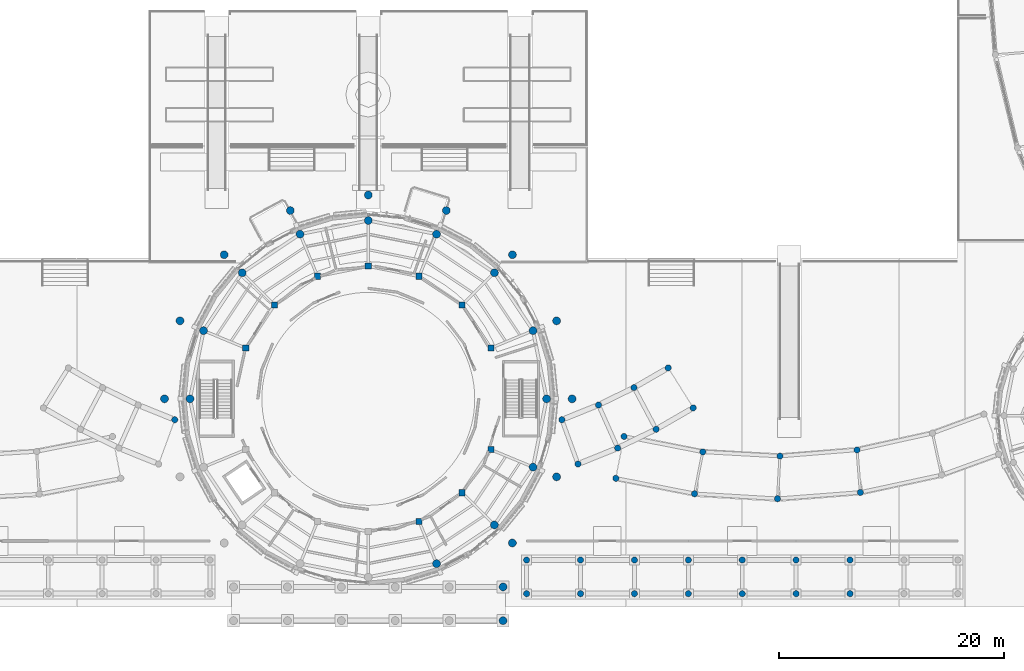
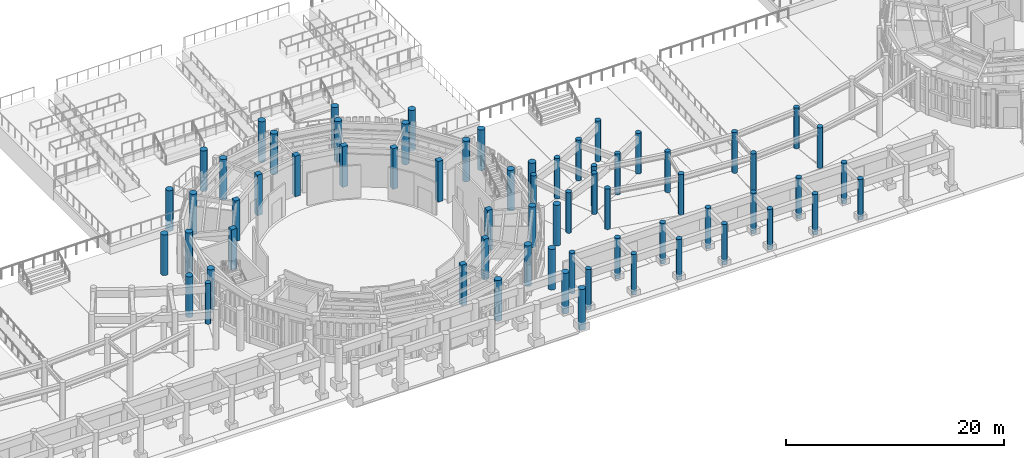
# One storey, part 2 of 94: 66 columns.
"""IFC4 building model written with IfcOpenShell, lengths in metres."""

from ifc_helpers import new_model, si_unit, direction, frame, origin, origin_2d, place, context, subcontext, project, spatial, rectangle, circle, extrude, material, material_profile, profile_set, type_object, element, save


model = new_model("IFC4")

# Units and contexts
model_context = context("Model", 3, precision=1e-05, world=origin(), true_north=direction((0.0, 1.0)))
body_context = subcontext(model_context, "Body", "Model", "MODEL_VIEW")
ifc_project = project(units=[si_unit("LENGTHUNIT", "METRE"), si_unit("AREAUNIT", "SQUARE_METRE"), si_unit("VOLUMEUNIT", "CUBIC_METRE"), si_unit("PLANEANGLEUNIT", "RADIAN"), si_unit("MASSUNIT", "GRAM", prefix="KILO")], contexts=[model_context])

# Site, building, storey
site_placement = place(None, origin())
site = spatial("IfcSite", under=ifc_project, at=site_placement, CompositionType="ELEMENT")
building_placement = place(site_placement, origin())
building = spatial("IfcBuilding", under=site, at=building_placement, Name="Aldenvaro Health Centre", CompositionType="ELEMENT")
storey_placement = place(building_placement, origin())
storey = spatial("IfcBuildingStorey", under=building, at=storey_placement, Name="L00", CompositionType="ELEMENT", Elevation=0.0)

# Columns
ifc_material = material(Name="Concrete f'c 40 MPa", Category="concrete")
ifc_material_profile_1 = material_profile(ifc_material, rectangle(XDim=0.550048828125, YDim=0.550048828125, at=origin_2d()), Name="RC 550x550", Category="concrete")
ifc_profile_set_1 = profile_set([ifc_material_profile_1], Name="Concrete f'c 40 MPa")
column_type_1 = type_object("IfcColumnType", Name="COL-RC-550", PredefinedType="COLUMN", material=ifc_profile_set_1)
for number, where, z_axis, x_axis, name in (
    (1, (97.919921875, 24.52294921875, 0.0), (0.0, 0.0, 1.0), (1.0, 0.0, 0.0), "D1 L00 column IN-01"),
    (2, (95.35791015625, 28.35791015625, 0.0), (0.0, 0.0, 1.0), (1.0, 0.0, 0.0), "D1 L00 column IN-02"),
    (3, (91.52294921875, 30.919921875, 0.0), (0.0, 0.0, 1.0), (1.0, 0.0, 0.0), "D1 L00 column IN-03"),
    (4, (87.0, 31.820068359375, 0.0), (0.0, 0.0, 1.0), (1.0, 0.0, 0.0), "D1 L00 column IN-04"),
    (5, (82.47705078125, 30.919921875, 0.0), (0.0, 0.0, 1.0), (1.0, 0.0, 0.0), "D1 L00 column IN-05"),
    (6, (78.64208984375, 28.35791015625, 0.0), (0.0, 0.0, 1.0), (1.0, 0.0, 0.0), "D1 L00 column IN-06"),
    (7, (76.080078125, 24.52294921875, 0.0), (0.0, 0.0, 1.0), (1.0, 0.0, 0.0), "D1 L00 column IN-07"),
    (8, (91.52294921875, 9.080078125, 0.0), (0.0, 0.0, 1.0), (1.0, 0.0, 0.0), "D1 L00 column IN-12"),
    (9, (95.35791015625, 11.64208984375, 0.0), (0.0, 0.0, 1.0), (1.0, 0.0, 0.0), "D1 L00 column IN-13"),
    (10, (97.919921875, 15.47705078125, 0.0), (0.0, 0.0, 1.0), (1.0, 0.0, 0.0), "D1 L00 column IN-14"),
):
    element("IfcColumn", number, at=place(storey_placement, frame(where, z_axis=z_axis, x_axis=x_axis)), inside=storey, type_object=column_type_1, Name=name, PredefinedType="COLUMN", context=body_context, shape_type="SweptSolid", body=[
        extrude(rectangle(XDim=0.550048828125, YDim=0.550048828125, at=origin_2d()), origin(), (0.0, 0.0, 1.0), 4.550048828125),
    ])
ifc_material_profile_2 = material_profile(ifc_material, circle(Radius=0.27490234375, at=origin_2d()), Name="RC D550", Category="concrete")
ifc_profile_set_2 = profile_set([ifc_material_profile_2], Name="Concrete f'c 40 MPa")
column_type_2 = type_object("IfcColumnType", Name="COL-RC-D550", PredefinedType="PILASTER", material=ifc_profile_set_2)
for number, where, z_axis, x_axis, name in (
    (11, (69.761962890625, 18.138916015625, 0.0), (0.0, 0.0, 1.0), (1.0, 0.0, 0.0), "Neoclassical Colonnade Column 4.1"),
    (12, (104.238037109375, 18.138916015625, 0.0), (0.0, 0.0, 1.0), (1.0, 0.0, 0.0), "Neoclassical Colonnade Column 14.1"),
    (13, (105.674072265625, 14.193115234375, 0.0), (0.0, 0.0, 1.0), (1.0, 0.0, 0.0), "Neoclassical Colonnade Column 14.2"),
    (14, (107.5, 19.45703125, 0.0), (0.0, 0.0, 1.0), (1.0, 0.0, 0.0), "Neoclassical Colonnade Column 15.1"),
    (15, (109.2080078125, 15.6201171875, 0.0), (0.0, 0.0, 1.0), (1.0, 0.0, 0.0), "Neoclassical Colonnade Column 15.2"),
    (16, (110.660888671875, 20.9990234375, 0.0), (0.0, 0.0, 1.0), (1.0, 0.0, 0.0), "Neoclassical Colonnade Column 16.1"),
    (17, (112.633056640625, 17.291015625, 0.0), (0.0, 0.0, 1.0), (1.0, 0.0, 0.0), "Neoclassical Colonnade Column 16.2"),
    (18, (113.7080078125, 22.758056640625, 0.0), (0.0, 0.0, 1.0), (1.0, 0.0, 0.0), "Neoclassical Colonnade Column 17.1"),
    (19, (115.93408203125, 19.197021484375, 0.0), (0.0, 0.0, 1.0), (1.0, 0.0, 0.0), "Neoclassical Colonnade Column 17.2"),
    (20, (109.778076171875, 16.653076171875, 0.0), (0.0, 0.0, 1.0), (1.0, 0.0, 0.0), "South East Curved Peristyle Walkway Arc 1 L00 column 1.1"),
    (21, (109.0458984375, 12.925048828125, 0.0), (0.0, 0.0, 1.0), (1.0, 0.0, 0.0), "South East Curved Peristyle Walkway Arc 1 L00 column 1.2"),
    (22, (116.785888671875, 15.278076171875, 0.0), (0.0, 0.0, 1.0), (1.0, 0.0, 0.0), "South East Curved Peristyle Walkway Arc 1 L00 column 2.1"),
    (23, (116.053955078125, 11.550048828125, 0.0), (0.0, 0.0, 1.0), (1.0, 0.0, 0.0), "South East Curved Peristyle Walkway Arc 1 L00 column 2.2"),
    (24, (123.658935546875, 14.89990234375, 0.0), (0.0, 0.0, 1.0), (1.0, 0.0, 0.0), "South East Curved Peristyle Walkway Arc 2 L00 column 2.1"),
    (25, (123.44091796875, 11.10595703125, 0.0), (0.0, 0.0, 1.0), (1.0, 0.0, 0.0), "South East Curved Peristyle Walkway Arc 2 L00 column 2.2"),
    (26, (130.52001953125, 15.45703125, 0.0), (0.0, 0.0, 1.0), (1.0, 0.0, 0.0), "South East Curved Peristyle Walkway Arc 3 L00 column 2.1"),
    (27, (130.818115234375, 11.6689453125, 0.0), (0.0, 0.0, 1.0), (1.0, 0.0, 0.0), "South East Curved Peristyle Walkway Arc 3 L00 column 2.2"),
    (28, (101.10009765625, 2.64990234375, 0.0), (0.0, 0.0, 1.0), (1.0, 0.0, 0.0), "South Neoclassical Stoa E Lower Column 1.1"),
    (29, (101.10009765625, 5.64990234375, 0.0), (0.0, 0.0, 1.0), (1.0, 0.0, 0.0), "South Neoclassical Stoa E Lower Column 1.2"),
    (30, (105.89990234375, 2.64990234375, 0.0), (0.0, 0.0, 1.0), (1.0, 0.0, 0.0), "South Neoclassical Stoa E Lower Column 2.1"),
    (31, (105.89990234375, 5.64990234375, 0.0), (0.0, 0.0, 1.0), (1.0, 0.0, 0.0), "South Neoclassical Stoa E Lower Column 2.2"),
    (32, (110.699951171875, 2.64990234375, 0.0), (0.0, 0.0, 1.0), (1.0, 0.0, 0.0), "South Neoclassical Stoa E Lower Column 3.1"),
    (33, (110.699951171875, 5.64990234375, 0.0), (0.0, 0.0, 1.0), (1.0, 0.0, 0.0), "South Neoclassical Stoa E Lower Column 3.2"),
    (34, (115.5, 2.64990234375, 0.0), (0.0, 0.0, 1.0), (1.0, 0.0, 0.0), "South Neoclassical Stoa E Lower Column 4.1"),
    (35, (115.5, 5.64990234375, 0.0), (0.0, 0.0, 1.0), (1.0, 0.0, 0.0), "South Neoclassical Stoa E Lower Column 4.2"),
    (36, (120.300048828125, 2.64990234375, 0.0), (0.0, 0.0, 1.0), (1.0, 0.0, 0.0), "South Neoclassical Stoa E Lower Column 5.1"),
    (37, (120.300048828125, 5.64990234375, 0.0), (0.0, 0.0, 1.0), (1.0, 0.0, 0.0), "South Neoclassical Stoa E Lower Column 5.2"),
    (38, (125.10009765625, 2.64990234375, 0.0), (0.0, 0.0, 1.0), (1.0, 0.0, 0.0), "South Neoclassical Stoa E Lower Column 6.1"),
    (39, (125.10009765625, 5.64990234375, 0.0), (0.0, 0.0, 1.0), (1.0, 0.0, 0.0), "South Neoclassical Stoa E Lower Column 6.2"),
    (40, (129.89990234375, 2.64990234375, 0.0), (0.0, 0.0, 1.0), (1.0, 0.0, 0.0), "South Neoclassical Stoa E Lower Column 7.1"),
    (41, (129.89990234375, 5.64990234375, 0.0), (0.0, 0.0, 1.0), (1.0, 0.0, 0.0), "South Neoclassical Stoa E Lower Column 7.2"),
):
    element("IfcColumn", number, at=place(storey_placement, frame(where, z_axis=z_axis, x_axis=x_axis)), inside=storey, type_object=column_type_2, Name=name, PredefinedType="PILASTER", context=body_context, shape_type="SweptSolid", body=[
        extrude(circle(Radius=0.27490234375, at=origin_2d()), origin(), (0.0, 0.0, 1.0), 4.550048828125),
    ])
ifc_material_profile_3 = material_profile(ifc_material, circle(Radius=0.35009765625, at=origin_2d()), Name="RC D700", Category="concrete")
ifc_profile_set_3 = profile_set([ifc_material_profile_3], Name="Concrete f'c 40 MPa")
column_type_3 = type_object("IfcColumnType", Name="COL-RC-D700", PredefinedType="COLUMN", material=ifc_profile_set_3)
for number, where, z_axis, x_axis, name in (
    (42, (102.8798828125, 20.0, 0.0), (0.0, 0.0, 1.0), (1.0, 0.0, 0.0), "D1 L00 column OUT-01"),
    (43, (101.6708984375, 26.076904296875, 0.0), (0.0, 0.0, 1.0), (1.0, 0.0, 0.0), "D1 L00 column OUT-02"),
    (44, (98.22900390625, 31.22900390625, 0.0), (0.0, 0.0, 1.0), (1.0, 0.0, 0.0), "D1 L00 column OUT-03"),
    (45, (93.076904296875, 34.6708984375, 0.0), (0.0, 0.0, 1.0), (1.0, 0.0, 0.0), "D1 L00 column OUT-04"),
    (46, (87.0, 35.8798828125, 0.0), (0.0, 0.0, 1.0), (1.0, 0.0, 0.0), "D1 L00 column OUT-05"),
    (47, (80.923095703125, 34.6708984375, 0.0), (0.0, 0.0, 1.0), (1.0, 0.0, 0.0), "D1 L00 column OUT-06"),
    (48, (75.77099609375, 31.22900390625, 0.0), (0.0, 0.0, 1.0), (1.0, 0.0, 0.0), "D1 L00 column OUT-07"),
    (49, (72.3291015625, 26.076904296875, 0.0), (0.0, 0.0, 1.0), (1.0, 0.0, 0.0), "D1 L00 column OUT-08"),
    (50, (71.1201171875, 20.0, 0.0), (0.0, 0.0, 1.0), (1.0, 0.0, 0.0), "D1 L00 column OUT-09"),
    (51, (93.076904296875, 5.3291015625, 0.0), (0.0, 0.0, 1.0), (1.0, 0.0, 0.0), "D1 L00 column OUT-14"),
    (52, (98.22900390625, 8.77099609375, 0.0), (0.0, 0.0, 1.0), (1.0, 0.0, 0.0), "D1 L00 column OUT-15"),
    (53, (101.6708984375, 13.923095703125, 0.0), (0.0, 0.0, 1.0), (1.0, 0.0, 0.0), "D1 L00 column OUT-16"),
    (54, (99.0, 0.25, 0.0), (0.0, 0.0, 1.0), (1.0, 0.0, 0.0), "Neoclassical Portico Giant Column Lower 6.1"),
    (55, (99.0, 3.25, 0.0), (0.0, 0.0, 1.0), (1.0, 0.0, 0.0), "Neoclassical Portico Giant Column Lower 6.2"),
    (56, (105.14990234375, 20.0, 0.0), (0.0, 0.0, 1.0), (1.0, 0.0, 0.0), "Waiting Rotunda Peristyle Lower Column 01"),
    (57, (103.76806640625, 26.946044921875, 0.0), (0.0, 0.0, 1.0), (1.0, 0.0, 0.0), "Waiting Rotunda Peristyle Lower Column 02"),
    (58, (99.833984375, 32.833984375, 0.0), (0.0, 0.0, 1.0), (1.0, 0.0, 0.0), "Waiting Rotunda Peristyle Lower Column 03"),
    (59, (93.946044921875, 36.76806640625, 0.0), (0.0, 0.0, 1.0), (1.0, 0.0, 0.0), "Waiting Rotunda Peristyle Lower Column 04"),
    (60, (87.0, 38.14990234375, 0.0), (0.0, 0.0, 1.0), (1.0, 0.0, 0.0), "Waiting Rotunda Peristyle Lower Column 05"),
    (61, (80.053955078125, 36.76806640625, 0.0), (0.0, 0.0, 1.0), (1.0, 0.0, 0.0), "Waiting Rotunda Peristyle Lower Column 06"),
    (62, (74.166015625, 32.833984375, 0.0), (0.0, 0.0, 1.0), (1.0, 0.0, 0.0), "Waiting Rotunda Peristyle Lower Column 07"),
    (63, (70.23193359375, 26.946044921875, 0.0), (0.0, 0.0, 1.0), (1.0, 0.0, 0.0), "Waiting Rotunda Peristyle Lower Column 08"),
    (64, (68.85009765625, 20.0, 0.0), (0.0, 0.0, 1.0), (1.0, 0.0, 0.0), "Waiting Rotunda Peristyle Lower Column 09"),
    (65, (99.833984375, 7.166015625, 0.0), (0.0, 0.0, 1.0), (1.0, 0.0, 0.0), "Waiting Rotunda Peristyle Lower Column 15"),
    (66, (103.76806640625, 13.053955078125, 0.0), (0.0, 0.0, 1.0), (1.0, 0.0, 0.0), "Waiting Rotunda Peristyle Lower Column 16"),
):
    element("IfcColumn", number, at=place(storey_placement, frame(where, z_axis=z_axis, x_axis=x_axis)), inside=storey, type_object=column_type_3, Name=name, PredefinedType="COLUMN", context=body_context, shape_type="SweptSolid", body=[
        extrude(circle(Radius=0.35009765625, at=origin_2d()), origin(), (0.0, 0.0, 1.0), 4.550048828125),
    ])

save(model, "model.ifc")
